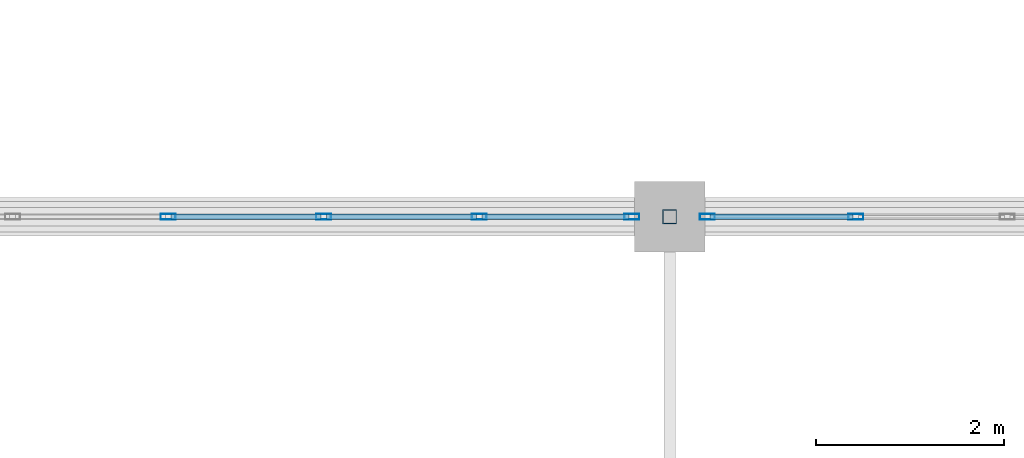
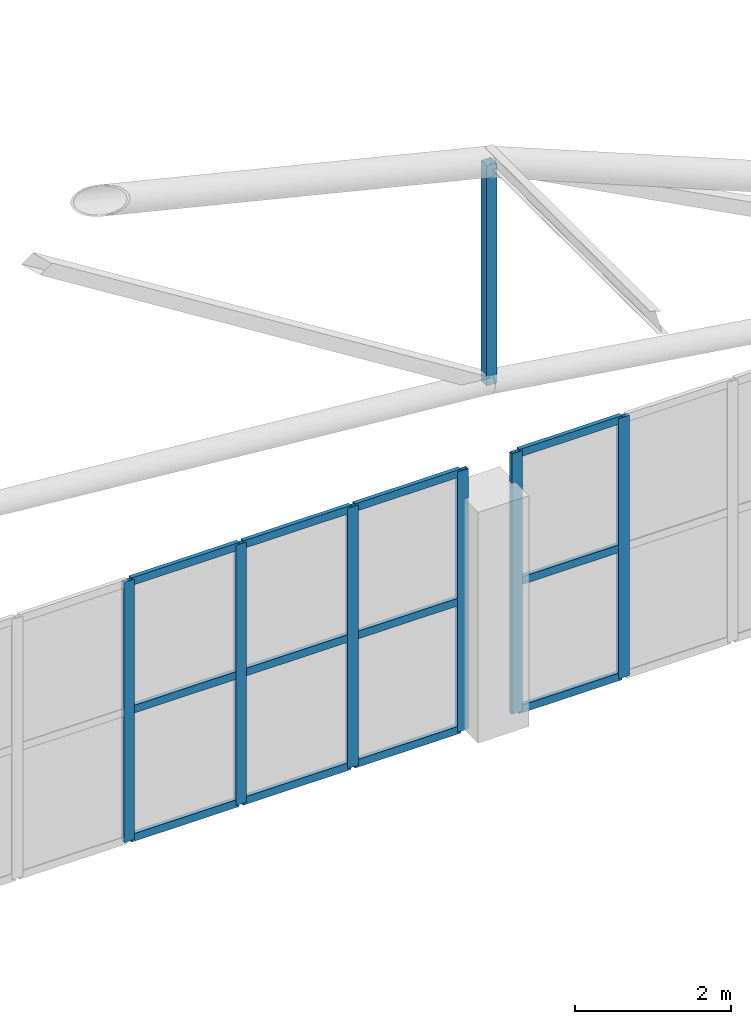
# One storey, part 114 of 167: 19 members, 2 elements without a shape of their own.
"""IFC4 building model written with IfcOpenShell, lengths in metres."""

from ifc_helpers import new_model, si_unit, direction, frame, origin, origin_2d, place, context, subcontext, project, spatial, hollow_rectangle, extrude, material, layer, layer_set, material_profile, profile_set, type_object, element, aggregate, save


model = new_model("IFC4")

# Units and contexts
model_context = context("Model", 3, precision=1e-05, world=origin(), true_north=direction((0.0, 1.0)))
body_context = subcontext(model_context, "Body", "Model", "MODEL_VIEW")
ifc_project = project(units=[si_unit("LENGTHUNIT", "METRE"), si_unit("AREAUNIT", "SQUARE_METRE"), si_unit("VOLUMEUNIT", "CUBIC_METRE"), si_unit("PLANEANGLEUNIT", "RADIAN"), si_unit("MASSUNIT", "GRAM", prefix="KILO")], contexts=[model_context])

# Site, building, storey
site_placement = place(None, origin())
site = spatial("IfcSite", under=ifc_project, at=site_placement, CompositionType="ELEMENT")
building_placement = place(site_placement, origin())
building = spatial("IfcBuilding", under=site, at=building_placement, Name="Dornveld Trade and Exhibition Forum", CompositionType="ELEMENT")
storey_placement = place(building_placement, frame((0.0, 0.0, 16.800048828125)))
storey = spatial("IfcBuildingStorey", under=building, at=storey_placement, Name="L03", CompositionType="ELEMENT", Elevation=16.800048828125)

# Curtain wall, members
ifc_material_1 = material(Name="Dark-bronze anodised aluminium and low-E glass", Category="aluminium")
ifc_layer_1 = layer(ifc_material_1, 0.154052734375)
ifc_layer_set_1 = layer_set([ifc_layer_1], Name="Dark-bronze anodised aluminium and low-E glass")
curtain_wall_type_1 = type_object("IfcCurtainWallType", Name="CW-SYS-04", PredefinedType="USERDEFINED", material=ifc_layer_set_1)
curtain_wall_1_placement = place(storey_placement, origin())
curtain_wall_1 = element("IfcCurtainWall", 1, at=curtain_wall_1_placement, inside=storey, type_object=curtain_wall_type_1, Name="L03 unitised curtain wall 40", ObjectType="UNITISED_CURTAIN_WALL", PredefinedType="USERDEFINED")
ifc_material_2 = material(Name="Dark-bronze anodised aluminium", Category="aluminium")
ifc_material_profile_1 = material_profile(ifc_material_2, hollow_rectangle(XDim=0.06005859375, YDim=0.159912109375, WallThickness=0.00390625, at=origin_2d()), Name="RHS 160x60x4")
ifc_profile_set_1 = profile_set([ifc_material_profile_1], Name="Dark-bronze anodised aluminium")
member_type_1 = type_object("IfcMemberType", Name="CW-MUL-160", PredefinedType="MULLION", material=ifc_profile_set_1)
member_1_placement = place(storey_placement, frame((71.59912109375, 135.0, -0.004150390625), z_axis=(0.0, 0.0, 1.0), x_axis=(0.0, -1.0, 0.0)))
member_1 = element("IfcMember", 2, at=member_1_placement, type_object=member_type_1, Name="CW-04 mullion 1", PredefinedType="MULLION", context=body_context, shape_type="SweptSolid", body=[
    extrude(hollow_rectangle(XDim=0.06005859375, YDim=0.159912109375, WallThickness=0.00390625, at=origin_2d()), origin(), (0.0, 0.0, 1.0), 4.064208984375),
])
member_2_placement = place(storey_placement, frame((69.977294921875, 135.0, -0.004150390625), z_axis=(0.0, 0.0, 1.0), x_axis=(0.0, -1.0, 0.0)))
member_2 = element("IfcMember", 3, at=member_2_placement, type_object=member_type_1, Name="CW-04 mullion 2", PredefinedType="MULLION", context=body_context, shape_type="SweptSolid", body=[
    extrude(hollow_rectangle(XDim=0.06005859375, YDim=0.159912109375, WallThickness=0.00390625, at=origin_2d()), origin(), (0.0, 0.0, 1.0), 4.064208984375),
])
member_3_placement = place(storey_placement, frame((68.32568359375, 135.0, -0.004150390625), z_axis=(0.0, 0.0, 1.0), x_axis=(0.0, -1.0, 0.0)))
member_3 = element("IfcMember", 4, at=member_3_placement, type_object=member_type_1, Name="CW-04 mullion 3", PredefinedType="MULLION", context=body_context, shape_type="SweptSolid", body=[
    extrude(hollow_rectangle(XDim=0.06005859375, YDim=0.159912109375, WallThickness=0.00390625, at=origin_2d()), origin(), (0.0, 0.0, 1.0), 4.064208984375),
])
member_4_placement = place(storey_placement, frame((66.67431640625, 135.0, -0.004150390625), z_axis=(0.0, 0.0, 1.0), x_axis=(0.0, -1.0, 0.0)))
member_4 = element("IfcMember", 5, at=member_4_placement, type_object=member_type_1, Name="CW-04 mullion 4", PredefinedType="MULLION", context=body_context, shape_type="SweptSolid", body=[
    extrude(hollow_rectangle(XDim=0.06005859375, YDim=0.159912109375, WallThickness=0.00390625, at=origin_2d()), origin(), (0.0, 0.0, 1.0), 4.064208984375),
])

ifc_material_3 = material(Name="Dark-bronze anodised aluminium and low-E glass", Category="aluminium")
ifc_layer_2 = layer(ifc_material_3, 0.159912109375)
ifc_layer_set_2 = layer_set([ifc_layer_2], Name="Dark-bronze anodised aluminium and low-E glass")
curtain_wall_type_2 = type_object("IfcCurtainWallType", Name="CW-SYS-06", PredefinedType="USERDEFINED", material=ifc_layer_set_2)
curtain_wall_2_placement = place(storey_placement, origin())
curtain_wall_2 = element("IfcCurtainWall", 6, at=curtain_wall_2_placement, inside=storey, type_object=curtain_wall_type_2, Name="L03 unitised curtain wall 42", ObjectType="UNITISED_CURTAIN_WALL", PredefinedType="USERDEFINED")
member_5_placement = place(storey_placement, frame((73.9775390625, 135.0, -0.004150390625), z_axis=(0.0, 0.0, 1.0), x_axis=(0.0, -1.0, 0.0)))
member_5 = element("IfcMember", 7, at=member_5_placement, type_object=member_type_1, Name="CW-06 mullion 5", PredefinedType="MULLION", context=body_context, shape_type="SweptSolid", body=[
    extrude(hollow_rectangle(XDim=0.06005859375, YDim=0.159912109375, WallThickness=0.00390625, at=origin_2d()), origin(), (0.0, 0.0, 1.0), 4.064208984375),
])
member_6_placement = place(storey_placement, frame((72.40087890625, 135.0, -0.004150390625), z_axis=(0.0, 0.0, 1.0), x_axis=(0.0, -1.0, 0.0)))
member_6 = element("IfcMember", 8, at=member_6_placement, type_object=member_type_1, Name="CW-06 mullion 6", PredefinedType="MULLION", context=body_context, shape_type="SweptSolid", body=[
    extrude(hollow_rectangle(XDim=0.06005859375, YDim=0.159912109375, WallThickness=0.00390625, at=origin_2d()), origin(), (0.0, 0.0, 1.0), 4.064208984375),
])

# Member
ifc_material_4 = material(Name="Dark-bronze anodised aluminium", Category="aluminium")
ifc_material_profile_2 = material_profile(ifc_material_4, hollow_rectangle(XDim=0.06005859375, YDim=0.1201171875, WallThickness=0.00390625, at=origin_2d()), Name="RHS 120x60x4")
ifc_profile_set_2 = profile_set([ifc_material_profile_2], Name="Dark-bronze anodised aluminium")
member_type_2 = type_object("IfcMemberType", Name="CW-TRN-120", PredefinedType="USERDEFINED", material=ifc_profile_set_2)
member_7_placement = place(storey_placement, frame((71.569091796875, 135.0, 0.02587890625), z_axis=(-1.0, 0.0, 0.0), x_axis=(0.0, -1.0, 0.0)))
member_7 = element("IfcMember", 9, at=member_7_placement, type_object=member_type_2, Name="CW-04 transom 1.1", ObjectType="TRANSOM", PredefinedType="USERDEFINED", context=body_context, shape_type="SweptSolid", body=[
    extrude(hollow_rectangle(XDim=0.06005859375, YDim=0.1201171875, WallThickness=0.00390625, at=origin_2d()), origin(), (0.0, 0.0, 1.0), 1.561767578125),
])

member_8_placement = place(storey_placement, frame((71.569091796875, 135.0, 2.02783203125), z_axis=(-1.0, 0.0, 0.0), x_axis=(0.0, -1.0, 0.0)))
member_8 = element("IfcMember", 10, at=member_8_placement, type_object=member_type_2, Name="CW-04 transom 1.2", ObjectType="TRANSOM", PredefinedType="USERDEFINED", context=body_context, shape_type="SweptSolid", body=[
    extrude(hollow_rectangle(XDim=0.06005859375, YDim=0.1201171875, WallThickness=0.00390625, at=origin_2d()), origin(), (0.0, 0.0, 1.0), 1.561767578125),
])

member_9_placement = place(storey_placement, frame((71.569091796875, 135.0, 4.030029296875), z_axis=(-1.0, 0.0, 0.0), x_axis=(0.0, -1.0, 0.0)))
member_9 = element("IfcMember", 11, at=member_9_placement, type_object=member_type_2, Name="CW-04 transom 1.3", ObjectType="TRANSOM", PredefinedType="USERDEFINED", context=body_context, shape_type="SweptSolid", body=[
    extrude(hollow_rectangle(XDim=0.06005859375, YDim=0.1201171875, WallThickness=0.00390625, at=origin_2d()), origin(), (0.0, 0.0, 1.0), 1.561767578125),
])

member_10_placement = place(storey_placement, frame((69.947509765625, 135.0, 0.02587890625), z_axis=(-1.0, 0.0, 0.0), x_axis=(0.0, -1.0, 0.0)))
member_10 = element("IfcMember", 12, at=member_10_placement, type_object=member_type_2, Name="CW-04 transom 2.1", ObjectType="TRANSOM", PredefinedType="USERDEFINED", context=body_context, shape_type="SweptSolid", body=[
    extrude(hollow_rectangle(XDim=0.06005859375, YDim=0.1201171875, WallThickness=0.00390625, at=origin_2d()), origin(), (0.0, 0.0, 1.0), 1.591796875),
])

member_11_placement = place(storey_placement, frame((69.947509765625, 135.0, 2.02783203125), z_axis=(-1.0, 0.0, 0.0), x_axis=(0.0, -1.0, 0.0)))
member_11 = element("IfcMember", 13, at=member_11_placement, type_object=member_type_2, Name="CW-04 transom 2.2", ObjectType="TRANSOM", PredefinedType="USERDEFINED", context=body_context, shape_type="SweptSolid", body=[
    extrude(hollow_rectangle(XDim=0.06005859375, YDim=0.1201171875, WallThickness=0.00390625, at=origin_2d()), origin(), (0.0, 0.0, 1.0), 1.591796875),
])

member_12_placement = place(storey_placement, frame((69.947509765625, 135.0, 4.030029296875), z_axis=(-1.0, 0.0, 0.0), x_axis=(0.0, -1.0, 0.0)))
member_12 = element("IfcMember", 14, at=member_12_placement, type_object=member_type_2, Name="CW-04 transom 2.3", ObjectType="TRANSOM", PredefinedType="USERDEFINED", context=body_context, shape_type="SweptSolid", body=[
    extrude(hollow_rectangle(XDim=0.06005859375, YDim=0.1201171875, WallThickness=0.00390625, at=origin_2d()), origin(), (0.0, 0.0, 1.0), 1.591796875),
])

member_13_placement = place(storey_placement, frame((68.2958984375, 135.0, 0.02587890625), z_axis=(-1.0, 0.0, 0.0), x_axis=(0.0, -1.0, 0.0)))
member_13 = element("IfcMember", 15, at=member_13_placement, type_object=member_type_2, Name="CW-04 transom 3.1", ObjectType="TRANSOM", PredefinedType="USERDEFINED", context=body_context, shape_type="SweptSolid", body=[
    extrude(hollow_rectangle(XDim=0.06005859375, YDim=0.1201171875, WallThickness=0.00390625, at=origin_2d()), origin(), (0.0, 0.0, 1.0), 1.591796875),
])

member_14_placement = place(storey_placement, frame((68.2958984375, 135.0, 2.02783203125), z_axis=(-1.0, 0.0, 0.0), x_axis=(0.0, -1.0, 0.0)))
member_14 = element("IfcMember", 16, at=member_14_placement, type_object=member_type_2, Name="CW-04 transom 3.2", ObjectType="TRANSOM", PredefinedType="USERDEFINED", context=body_context, shape_type="SweptSolid", body=[
    extrude(hollow_rectangle(XDim=0.06005859375, YDim=0.1201171875, WallThickness=0.00390625, at=origin_2d()), origin(), (0.0, 0.0, 1.0), 1.591796875),
])

member_15_placement = place(storey_placement, frame((68.2958984375, 135.0, 4.030029296875), z_axis=(-1.0, 0.0, 0.0), x_axis=(0.0, -1.0, 0.0)))
member_15 = element("IfcMember", 17, at=member_15_placement, type_object=member_type_2, Name="CW-04 transom 3.3", ObjectType="TRANSOM", PredefinedType="USERDEFINED", context=body_context, shape_type="SweptSolid", body=[
    extrude(hollow_rectangle(XDim=0.06005859375, YDim=0.1201171875, WallThickness=0.00390625, at=origin_2d()), origin(), (0.0, 0.0, 1.0), 1.591796875),
])

aggregate(curtain_wall_1, [member_1, member_2, member_3, member_4, member_7, member_8, member_9, member_10, member_11, member_12, member_13, member_14, member_15])

member_16_placement = place(storey_placement, frame((73.947509765625, 135.0, 0.02587890625), z_axis=(-1.0, 0.0, 0.0), x_axis=(0.0, -1.0, 0.0)))
member_16 = element("IfcMember", 18, at=member_16_placement, type_object=member_type_2, Name="CW-06 transom 5.1", ObjectType="TRANSOM", PredefinedType="USERDEFINED", context=body_context, shape_type="SweptSolid", body=[
    extrude(hollow_rectangle(XDim=0.06005859375, YDim=0.1201171875, WallThickness=0.00390625, at=origin_2d()), origin(), (0.0, 0.0, 1.0), 1.5166015625),
])

member_17_placement = place(storey_placement, frame((73.947509765625, 135.0, 2.02783203125), z_axis=(-1.0, 0.0, 0.0), x_axis=(0.0, -1.0, 0.0)))
member_17 = element("IfcMember", 19, at=member_17_placement, type_object=member_type_2, Name="CW-06 transom 5.2", ObjectType="TRANSOM", PredefinedType="USERDEFINED", context=body_context, shape_type="SweptSolid", body=[
    extrude(hollow_rectangle(XDim=0.06005859375, YDim=0.1201171875, WallThickness=0.00390625, at=origin_2d()), origin(), (0.0, 0.0, 1.0), 1.5166015625),
])

member_18_placement = place(storey_placement, frame((73.947509765625, 135.0, 4.030029296875), z_axis=(-1.0, 0.0, 0.0), x_axis=(0.0, -1.0, 0.0)))
member_18 = element("IfcMember", 20, at=member_18_placement, type_object=member_type_2, Name="CW-06 transom 5.3", ObjectType="TRANSOM", PredefinedType="USERDEFINED", context=body_context, shape_type="SweptSolid", body=[
    extrude(hollow_rectangle(XDim=0.06005859375, YDim=0.1201171875, WallThickness=0.00390625, at=origin_2d()), origin(), (0.0, 0.0, 1.0), 1.5166015625),
])

aggregate(curtain_wall_2, [member_5, member_6, member_16, member_17, member_18])

ifc_material_5 = material(Name="Steel S355J2", Category="steel")
ifc_material_profile_3 = material_profile(ifc_material_5, hollow_rectangle(XDim=0.14990234375, YDim=0.14990234375, WallThickness=0.008056640625, at=origin_2d()), Name="SHS 150x150x8")
ifc_profile_set_3 = profile_set([ifc_material_profile_3], Name="Steel S355J2")
member_type_3 = type_object("IfcMemberType", Name="MEM-ARCH-STR", PredefinedType="STRUT", material=ifc_profile_set_3)
member_19_placement = place(storey_placement, frame((72.0, 135.0, 5.283203125), z_axis=(0.0, 0.0, 1.0), x_axis=(1.0, 0.0, 0.0)))
element("IfcMember", 21, at=member_19_placement, inside=storey, type_object=member_type_3, Name="H3 truss 12 strut 6", PredefinedType="STRUT", context=body_context, shape_type="SweptSolid", body=[
    extrude(hollow_rectangle(XDim=0.14990234375, YDim=0.14990234375, WallThickness=0.008056640625, at=origin_2d()), origin(), (0.0, 0.0, 1.0), 3.433349609375),
])

save(model, "model.ifc")
